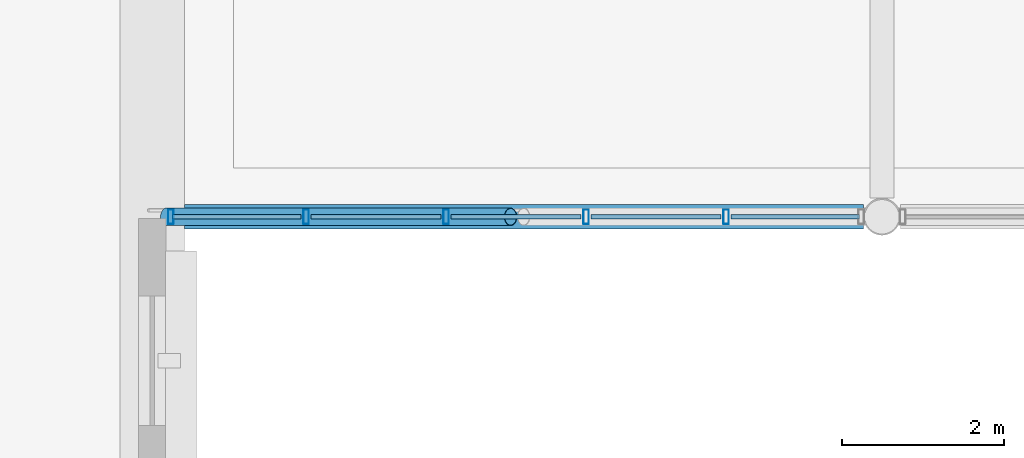
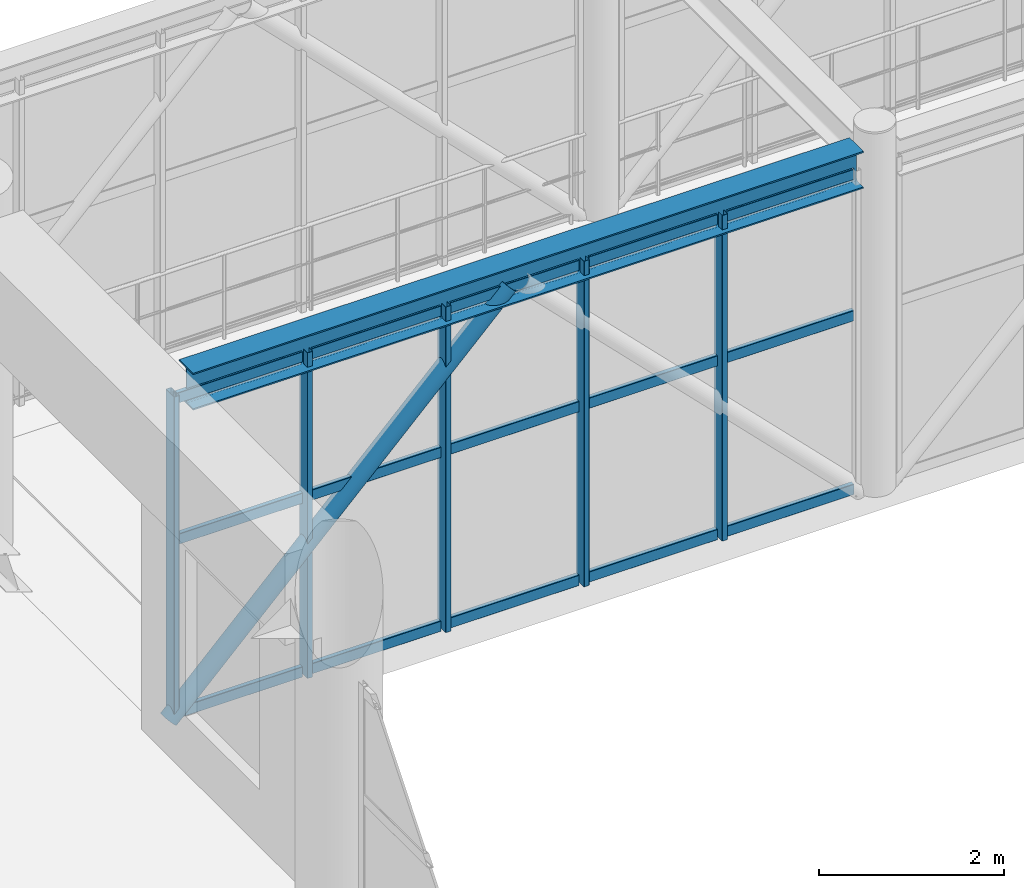
# One storey, part 56 of 178: 21 members, 1 beam, 1 element without a shape of its own.
"""IFC4 building model written with IfcOpenShell, lengths in metres."""

from ifc_helpers import new_model, si_unit, derived_unit, direction, frame, origin, origin_2d, place, context, subcontext, project, spatial, hollow_rectangle, hollow_circle, i_section, extrude, material, material_profile, profile_set, type_object, element, aggregate, save


model = new_model("IFC4")

# Units and contexts
model_context = context("Model", 3, precision=1e-05, world=origin(), true_north=direction((0.0, 1.0)))
body_context = subcontext(model_context, "Body", "Model", "MODEL_VIEW")
ifc_project = project(units=[si_unit("LENGTHUNIT", "METRE"), si_unit("AREAUNIT", "SQUARE_METRE"), si_unit("VOLUMEUNIT", "CUBIC_METRE"), si_unit("PLANEANGLEUNIT", "RADIAN"), si_unit("MASSUNIT", "GRAM", prefix="KILO"), derived_unit("THERMALTRANSMITTANCEUNIT", [(si_unit("MASSUNIT", "GRAM", prefix="KILO"), 1), (si_unit("TIMEUNIT", "SECOND"), -3), (si_unit("THERMODYNAMICTEMPERATUREUNIT", "KELVIN"), -1)])], contexts=[model_context])

# Site, building, storey
site_placement = place(None, origin())
site = spatial("IfcSite", under=ifc_project, at=site_placement, CompositionType="ELEMENT")
building_placement = place(site_placement, origin())
building = spatial("IfcBuilding", under=site, at=building_placement, Name="Zhenchuan Archway Interchange", CompositionType="ELEMENT")
storey_placement = place(building_placement, frame((0.0, 0.0, 5.39990234375)))
storey = spatial("IfcBuildingStorey", under=building, at=storey_placement, Name="L01", CompositionType="ELEMENT", Elevation=5.39990234375)

# Beam
ifc_material_1 = material(Name="Steel Q390", Category="steel")
ifc_material_profile_1 = material_profile(ifc_material_1, i_section(OverallWidth=0.300048828125, OverallDepth=0.488037109375, WebThickness=0.010986328125, FlangeThickness=0.01806640625, FilletRadius=0.02197265625, at=origin_2d()), Name="HM 488x300")
ifc_profile_set_1 = profile_set([ifc_material_profile_1], Name="Steel Q390")
beam_type = type_object("IfcBeamType", Name="BM_STL_HM488", PredefinedType="BEAM", material=ifc_profile_set_1)
beam_placement = place(storey_placement, frame((72.39990234375, 52.0, 4.336181640625), z_axis=(1.0, 0.0, 0.0), x_axis=(0.0, 1.0, 0.0)))
element("IfcBeam", 1, at=beam_placement, inside=storey, type_object=beam_type, Name="Footbridge roof chord girder W-S (L01)", PredefinedType="BEAM", context=body_context, shape_type="SweptSolid", body=[
    extrude(i_section(OverallWidth=0.300048828125, OverallDepth=0.488037109375, WebThickness=0.010986328125, FlangeThickness=0.01806640625, FilletRadius=0.02197265625, at=origin_2d()), origin(), (0.0, 0.0, 1.0), 8.37158203125),
])

# Curtain wall, members
ifc_material_2 = material(Name="Anodised Aluminium", Category="aluminium")
curtain_wall_type = type_object("IfcCurtainWallType", Name="CW_UNIT_2", PredefinedType="NOTDEFINED", material=ifc_material_2)
curtain_wall_placement = place(storey_placement, origin())
curtain_wall = element("IfcCurtainWall", 2, at=curtain_wall_placement, inside=storey, type_object=curtain_wall_type, Name="Unitised curtain wall CW:L01:077", PredefinedType="NOTDEFINED")
ifc_material_profile_2 = material_profile(ifc_material_2, hollow_rectangle(XDim=0.070068359375, YDim=0.179931640625, WallThickness=0.00390625, InnerFilletRadius=0.00390625, OuterFilletRadius=0.008056640625, at=origin_2d()), Name="ALU 180x70x4")
ifc_profile_set_2 = profile_set([ifc_material_profile_2], Name="Anodised Aluminium")
member_type_1 = type_object("IfcMemberType", Name="CW_MUL_180", PredefinedType="MULLION", material=ifc_profile_set_2)
member_1_placement = place(storey_placement, frame((79.07763671875, 52.0, 0.0), z_axis=(0.0, 0.0, 1.0), x_axis=(1.0, 0.0, 0.0)))
member_1 = element("IfcMember", 3, at=member_1_placement, type_object=member_type_1, Name="CW:L01:077 mullion 1", PredefinedType="MULLION", context=body_context, shape_type="SweptSolid", body=[
    extrude(hollow_rectangle(XDim=0.070068359375, YDim=0.179931640625, WallThickness=0.00390625, InnerFilletRadius=0.00390625, OuterFilletRadius=0.008056640625, at=origin_2d()), origin(), (0.0, 0.0, 1.0), 4.300048828125),
])
member_2_placement = place(storey_placement, frame((77.3505859375, 52.0, 0.0), z_axis=(0.0, 0.0, 1.0), x_axis=(1.0, 0.0, 0.0)))
member_2 = element("IfcMember", 4, at=member_2_placement, type_object=member_type_1, Name="CW:L01:077 mullion 2", PredefinedType="MULLION", context=body_context, shape_type="SweptSolid", body=[
    extrude(hollow_rectangle(XDim=0.070068359375, YDim=0.179931640625, WallThickness=0.00390625, InnerFilletRadius=0.00390625, OuterFilletRadius=0.008056640625, at=origin_2d()), origin(), (0.0, 0.0, 1.0), 4.300048828125),
])
member_3_placement = place(storey_placement, frame((75.623779296875, 52.0, 0.0), z_axis=(0.0, 0.0, 1.0), x_axis=(1.0, 0.0, 0.0)))
member_3 = element("IfcMember", 5, at=member_3_placement, type_object=member_type_1, Name="CW:L01:077 mullion 3", PredefinedType="MULLION", context=body_context, shape_type="SweptSolid", body=[
    extrude(hollow_rectangle(XDim=0.070068359375, YDim=0.179931640625, WallThickness=0.00390625, InnerFilletRadius=0.00390625, OuterFilletRadius=0.008056640625, at=origin_2d()), origin(), (0.0, 0.0, 1.0), 4.300048828125),
])
member_4_placement = place(storey_placement, frame((73.89697265625, 52.0, 0.0), z_axis=(0.0, 0.0, 1.0), x_axis=(1.0, 0.0, 0.0)))
member_4 = element("IfcMember", 6, at=member_4_placement, type_object=member_type_1, Name="CW:L01:077 mullion 4", PredefinedType="MULLION", context=body_context, shape_type="SweptSolid", body=[
    extrude(hollow_rectangle(XDim=0.070068359375, YDim=0.179931640625, WallThickness=0.00390625, InnerFilletRadius=0.00390625, OuterFilletRadius=0.008056640625, at=origin_2d()), origin(), (0.0, 0.0, 1.0), 4.300048828125),
])
member_5_placement = place(storey_placement, frame((72.22998046875, 52.0, 0.0), z_axis=(0.0, 0.0, 1.0), x_axis=(1.0, 0.0, 0.0)))
member_5 = element("IfcMember", 7, at=member_5_placement, type_object=member_type_1, Name="CW:L01:077 mullion 5", PredefinedType="MULLION", context=body_context, shape_type="SweptSolid", body=[
    extrude(hollow_rectangle(XDim=0.070068359375, YDim=0.179931640625, WallThickness=0.00390625, InnerFilletRadius=0.00390625, OuterFilletRadius=0.008056640625, at=origin_2d()), origin(), (0.0, 0.0, 1.0), 4.300048828125),
])
ifc_material_profile_3 = material_profile(ifc_material_2, hollow_rectangle(XDim=0.06005859375, YDim=0.139892578125, WallThickness=0.00341796875, InnerFilletRadius=0.00341796875, OuterFilletRadius=0.007080078125, at=origin_2d()), Name="ALU 140x60x3.5")
ifc_profile_set_3 = profile_set([ifc_material_profile_3], Name="Anodised Aluminium")
member_type_2 = type_object("IfcMemberType", Name="CW_TRN_140", PredefinedType="USERDEFINED", material=ifc_profile_set_3)
member_6_placement = place(storey_placement, frame((80.724609375, 52.0, 0.06005859375), z_axis=(-1.0, 0.0, 0.0), x_axis=(0.0, -1.0, 0.0)))
member_6 = element("IfcMember", 8, at=member_6_placement, type_object=member_type_2, Name="CW:L01:077 transom 0-1", ObjectType="TRANSOM", PredefinedType="USERDEFINED", context=body_context, shape_type="SweptSolid", body=[
    extrude(hollow_rectangle(XDim=0.06005859375, YDim=0.139892578125, WallThickness=0.00341796875, InnerFilletRadius=0.00341796875, OuterFilletRadius=0.007080078125, at=origin_2d()), origin(), (0.0, 0.0, 1.0), 1.5869140625),
])
member_7_placement = place(storey_placement, frame((80.724609375, 52.0, 2.35400390625), z_axis=(-1.0, 0.0, 0.0), x_axis=(0.0, -1.0, 0.0)))
member_7 = element("IfcMember", 9, at=member_7_placement, type_object=member_type_2, Name="CW:L01:077 transom 0-2", ObjectType="TRANSOM", PredefinedType="USERDEFINED", context=body_context, shape_type="SweptSolid", body=[
    extrude(hollow_rectangle(XDim=0.06005859375, YDim=0.139892578125, WallThickness=0.00341796875, InnerFilletRadius=0.00341796875, OuterFilletRadius=0.007080078125, at=origin_2d()), origin(), (0.0, 0.0, 1.0), 1.5869140625),
])
member_8_placement = place(storey_placement, frame((80.724609375, 52.0, 4.22021484375), z_axis=(-1.0, 0.0, 0.0), x_axis=(0.0, -1.0, 0.0)))
member_8 = element("IfcMember", 10, at=member_8_placement, type_object=member_type_2, Name="CW:L01:077 transom 0-3", ObjectType="TRANSOM", PredefinedType="USERDEFINED", context=body_context, shape_type="SweptSolid", body=[
    extrude(hollow_rectangle(XDim=0.06005859375, YDim=0.139892578125, WallThickness=0.00341796875, InnerFilletRadius=0.00341796875, OuterFilletRadius=0.007080078125, at=origin_2d()), origin(), (0.0, 0.0, 1.0), 1.5869140625),
])
member_9_placement = place(storey_placement, frame((79.017578125, 52.0, 0.06005859375), z_axis=(-1.0, 0.0, 0.0), x_axis=(0.0, -1.0, 0.0)))
member_9 = element("IfcMember", 11, at=member_9_placement, type_object=member_type_2, Name="CW:L01:077 transom 1-1", ObjectType="TRANSOM", PredefinedType="USERDEFINED", context=body_context, shape_type="SweptSolid", body=[
    extrude(hollow_rectangle(XDim=0.06005859375, YDim=0.139892578125, WallThickness=0.00341796875, InnerFilletRadius=0.00341796875, OuterFilletRadius=0.007080078125, at=origin_2d()), origin(), (0.0, 0.0, 1.0), 1.60693359375),
])
member_10_placement = place(storey_placement, frame((79.017578125, 52.0, 2.35400390625), z_axis=(-1.0, 0.0, 0.0), x_axis=(0.0, -1.0, 0.0)))
member_10 = element("IfcMember", 12, at=member_10_placement, type_object=member_type_2, Name="CW:L01:077 transom 1-2", ObjectType="TRANSOM", PredefinedType="USERDEFINED", context=body_context, shape_type="SweptSolid", body=[
    extrude(hollow_rectangle(XDim=0.06005859375, YDim=0.139892578125, WallThickness=0.00341796875, InnerFilletRadius=0.00341796875, OuterFilletRadius=0.007080078125, at=origin_2d()), origin(), (0.0, 0.0, 1.0), 1.60693359375),
])
member_11_placement = place(storey_placement, frame((79.017578125, 52.0, 4.22021484375), z_axis=(-1.0, 0.0, 0.0), x_axis=(0.0, -1.0, 0.0)))
member_11 = element("IfcMember", 13, at=member_11_placement, type_object=member_type_2, Name="CW:L01:077 transom 1-3", ObjectType="TRANSOM", PredefinedType="USERDEFINED", context=body_context, shape_type="SweptSolid", body=[
    extrude(hollow_rectangle(XDim=0.06005859375, YDim=0.139892578125, WallThickness=0.00341796875, InnerFilletRadius=0.00341796875, OuterFilletRadius=0.007080078125, at=origin_2d()), origin(), (0.0, 0.0, 1.0), 1.60693359375),
])
member_12_placement = place(storey_placement, frame((77.290771484375, 52.0, 0.06005859375), z_axis=(-1.0, 0.0, 0.0), x_axis=(0.0, -1.0, 0.0)))
member_12 = element("IfcMember", 14, at=member_12_placement, type_object=member_type_2, Name="CW:L01:077 transom 2-1", ObjectType="TRANSOM", PredefinedType="USERDEFINED", context=body_context, shape_type="SweptSolid", body=[
    extrude(hollow_rectangle(XDim=0.06005859375, YDim=0.139892578125, WallThickness=0.00341796875, InnerFilletRadius=0.00341796875, OuterFilletRadius=0.007080078125, at=origin_2d()), origin(), (0.0, 0.0, 1.0), 1.60693359375),
])
member_13_placement = place(storey_placement, frame((77.290771484375, 52.0, 2.35400390625), z_axis=(-1.0, 0.0, 0.0), x_axis=(0.0, -1.0, 0.0)))
member_13 = element("IfcMember", 15, at=member_13_placement, type_object=member_type_2, Name="CW:L01:077 transom 2-2", ObjectType="TRANSOM", PredefinedType="USERDEFINED", context=body_context, shape_type="SweptSolid", body=[
    extrude(hollow_rectangle(XDim=0.06005859375, YDim=0.139892578125, WallThickness=0.00341796875, InnerFilletRadius=0.00341796875, OuterFilletRadius=0.007080078125, at=origin_2d()), origin(), (0.0, 0.0, 1.0), 1.60693359375),
])
member_14_placement = place(storey_placement, frame((77.290771484375, 52.0, 4.22021484375), z_axis=(-1.0, 0.0, 0.0), x_axis=(0.0, -1.0, 0.0)))
member_14 = element("IfcMember", 16, at=member_14_placement, type_object=member_type_2, Name="CW:L01:077 transom 2-3", ObjectType="TRANSOM", PredefinedType="USERDEFINED", context=body_context, shape_type="SweptSolid", body=[
    extrude(hollow_rectangle(XDim=0.06005859375, YDim=0.139892578125, WallThickness=0.00341796875, InnerFilletRadius=0.00341796875, OuterFilletRadius=0.007080078125, at=origin_2d()), origin(), (0.0, 0.0, 1.0), 1.60693359375),
])
member_15_placement = place(storey_placement, frame((75.563720703125, 52.0, 0.06005859375), z_axis=(-1.0, 0.0, 0.0), x_axis=(0.0, -1.0, 0.0)))
member_15 = element("IfcMember", 17, at=member_15_placement, type_object=member_type_2, Name="CW:L01:077 transom 3-1", ObjectType="TRANSOM", PredefinedType="USERDEFINED", context=body_context, shape_type="SweptSolid", body=[
    extrude(hollow_rectangle(XDim=0.06005859375, YDim=0.139892578125, WallThickness=0.00341796875, InnerFilletRadius=0.00341796875, OuterFilletRadius=0.007080078125, at=origin_2d()), origin(), (0.0, 0.0, 1.0), 1.60693359375),
])
member_16_placement = place(storey_placement, frame((75.563720703125, 52.0, 2.35400390625), z_axis=(-1.0, 0.0, 0.0), x_axis=(0.0, -1.0, 0.0)))
member_16 = element("IfcMember", 18, at=member_16_placement, type_object=member_type_2, Name="CW:L01:077 transom 3-2", ObjectType="TRANSOM", PredefinedType="USERDEFINED", context=body_context, shape_type="SweptSolid", body=[
    extrude(hollow_rectangle(XDim=0.06005859375, YDim=0.139892578125, WallThickness=0.00341796875, InnerFilletRadius=0.00341796875, OuterFilletRadius=0.007080078125, at=origin_2d()), origin(), (0.0, 0.0, 1.0), 1.60693359375),
])
member_17_placement = place(storey_placement, frame((75.563720703125, 52.0, 4.22021484375), z_axis=(-1.0, 0.0, 0.0), x_axis=(0.0, -1.0, 0.0)))
member_17 = element("IfcMember", 19, at=member_17_placement, type_object=member_type_2, Name="CW:L01:077 transom 3-3", ObjectType="TRANSOM", PredefinedType="USERDEFINED", context=body_context, shape_type="SweptSolid", body=[
    extrude(hollow_rectangle(XDim=0.06005859375, YDim=0.139892578125, WallThickness=0.00341796875, InnerFilletRadius=0.00341796875, OuterFilletRadius=0.007080078125, at=origin_2d()), origin(), (0.0, 0.0, 1.0), 1.60693359375),
])
member_18_placement = place(storey_placement, frame((73.8369140625, 52.0, 0.06005859375), z_axis=(-1.0, 0.0, 0.0), x_axis=(0.0, -1.0, 0.0)))
member_18 = element("IfcMember", 20, at=member_18_placement, type_object=member_type_2, Name="CW:L01:077 transom 4-1", ObjectType="TRANSOM", PredefinedType="USERDEFINED", context=body_context, shape_type="SweptSolid", body=[
    extrude(hollow_rectangle(XDim=0.06005859375, YDim=0.139892578125, WallThickness=0.00341796875, InnerFilletRadius=0.00341796875, OuterFilletRadius=0.007080078125, at=origin_2d()), origin(), (0.0, 0.0, 1.0), 1.5869140625),
])
member_19_placement = place(storey_placement, frame((73.8369140625, 52.0, 2.35400390625), z_axis=(-1.0, 0.0, 0.0), x_axis=(0.0, -1.0, 0.0)))
member_19 = element("IfcMember", 21, at=member_19_placement, type_object=member_type_2, Name="CW:L01:077 transom 4-2", ObjectType="TRANSOM", PredefinedType="USERDEFINED", context=body_context, shape_type="SweptSolid", body=[
    extrude(hollow_rectangle(XDim=0.06005859375, YDim=0.139892578125, WallThickness=0.00341796875, InnerFilletRadius=0.00341796875, OuterFilletRadius=0.007080078125, at=origin_2d()), origin(), (0.0, 0.0, 1.0), 1.5869140625),
])
member_20_placement = place(storey_placement, frame((73.8369140625, 52.0, 4.22021484375), z_axis=(-1.0, 0.0, 0.0), x_axis=(0.0, -1.0, 0.0)))
member_20 = element("IfcMember", 22, at=member_20_placement, type_object=member_type_2, Name="CW:L01:077 transom 4-3", ObjectType="TRANSOM", PredefinedType="USERDEFINED", context=body_context, shape_type="SweptSolid", body=[
    extrude(hollow_rectangle(XDim=0.06005859375, YDim=0.139892578125, WallThickness=0.00341796875, InnerFilletRadius=0.00341796875, OuterFilletRadius=0.007080078125, at=origin_2d()), origin(), (0.0, 0.0, 1.0), 1.5869140625),
])
aggregate(curtain_wall, [member_1, member_2, member_3, member_4, member_5, member_6, member_7, member_8, member_9, member_10, member_11, member_12, member_13, member_14, member_15, member_16, member_17, member_18, member_19, member_20])

# Member
ifc_material_3 = material(Name="Steel Q355", Category="steel")
ifc_material_profile_4 = material_profile(ifc_material_3, hollow_circle(Radius=0.109619140625, WallThickness=0.008056640625, at=origin_2d()), Name="CHS 219x8")
ifc_profile_set_4 = profile_set([ifc_material_profile_4], Name="Steel Q355")
member_type_3 = type_object("IfcMemberType", Name="MB_CHS219", PredefinedType="BRACE", material=ifc_profile_set_4)
member_21_placement = place(storey_placement, frame((72.179931640625, 52.0, 0.0), z_axis=(0.706272605819, 0.0, 0.707939973634), x_axis=(0.0, 1.0, 0.0)))
element("IfcMember", 23, at=member_21_placement, inside=storey, type_object=member_type_3, Name="Footbridge truss diagonal W-SL", PredefinedType="BRACE", context=body_context, shape_type="SweptSolid", body=[
    extrude(hollow_circle(Radius=0.109619140625, WallThickness=0.008056640625, at=origin_2d()), origin(), (0.0, 0.0, 1.0), 6.00341796875),
])

save(model, "model.ifc")
